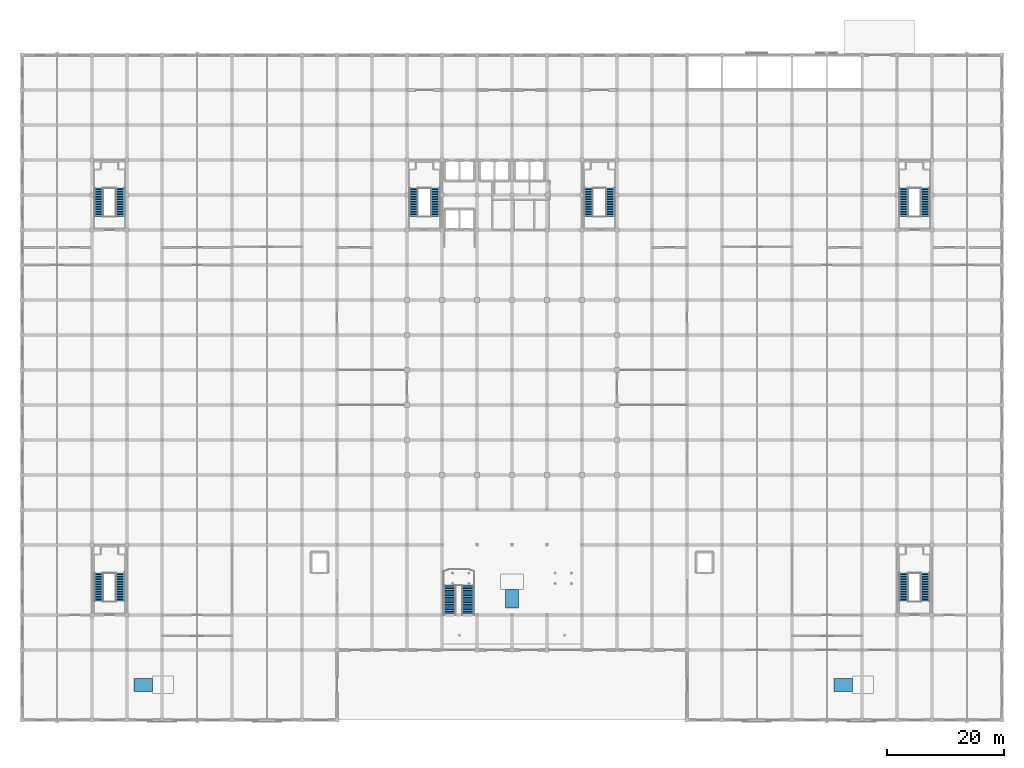
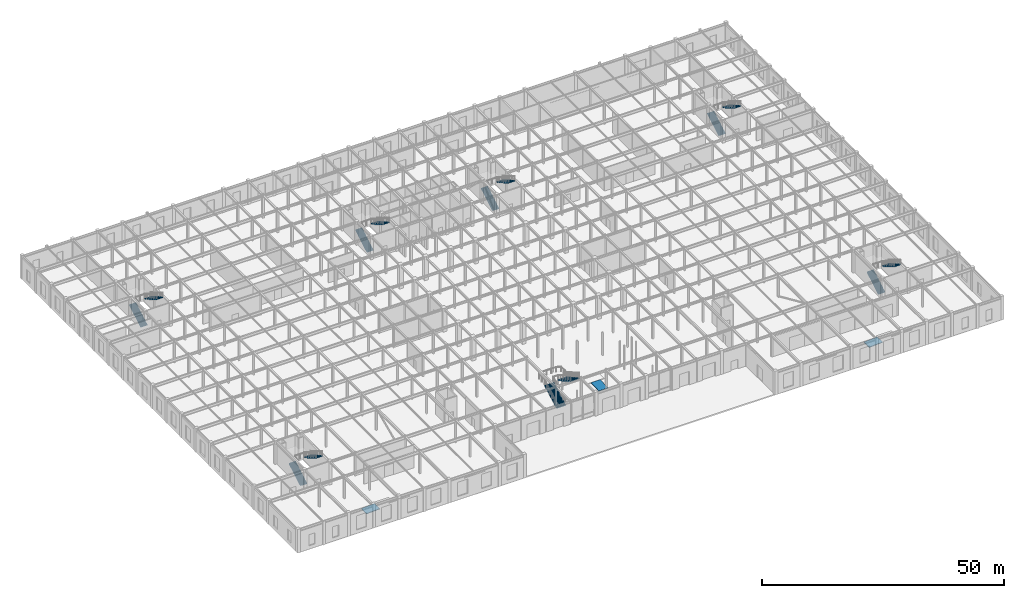
# One storey, part 49 of 51: 14 stair flights, 3 ramp flights, 10 elements without a shape of their own.
"""IFC4 building model written with IfcOpenShell, lengths in metres."""

from ifc_helpers import new_model, si_unit, direction, frame, origin, place, context, subcontext, project, spatial, polyline, outline, extrude, material, layer, layer_set, type_object, element, aggregate, save


model = new_model("IFC4")

# Units and contexts
model_context = context("Model", 3, precision=1e-05, world=origin(), true_north=direction((0.0, 1.0)))
body_context = subcontext(model_context, "Body", "Model", "MODEL_VIEW")
ifc_project = project(units=[si_unit("LENGTHUNIT", "METRE"), si_unit("AREAUNIT", "SQUARE_METRE"), si_unit("VOLUMEUNIT", "CUBIC_METRE"), si_unit("PLANEANGLEUNIT", "RADIAN"), si_unit("MASSUNIT", "GRAM", prefix="KILO")], contexts=[model_context])

# Site, building, storey
site_placement = place(None, origin())
site = spatial("IfcSite", under=ifc_project, at=site_placement, CompositionType="ELEMENT")
building_placement = place(site_placement, origin())
building = spatial("IfcBuilding", under=site, at=building_placement, Name="Zlatovratsky Civic Hall", CompositionType="ELEMENT")
storey_placement = place(building_placement, origin())
storey = spatial("IfcBuildingStorey", under=building, at=storey_placement, Name="L01", CompositionType="ELEMENT", Elevation=0.0)

# Stair, stair flights
ifc_material = material(Name="Concrete C30/37 (B35)", Category="concrete")
stair_type_1 = type_object("IfcStairType", Name="Stair_HALF_36R_1550W_02", PredefinedType="HALF_TURN_STAIR", material=ifc_material)
stair_1_placement = place(storey_placement, origin())
stair_1 = element("IfcStair", 1, at=stair_1_placement, inside=storey, type_object=stair_type_1, Name="ST-002", PredefinedType="HALF_TURN_STAIR")
stair_flight_type_1 = type_object("IfcStairFlightType", Name="StairFlight_18R_1550W_02", PredefinedType="STRAIGHT", material=ifc_material)
stair_flight_1_placement = place(storey_placement, frame((67.125, 86.35009765625, 0.0), z_axis=(0.0, 0.0, 1.0), x_axis=(0.0, 1.0, 0.0)))
stair_flight_1 = element("IfcStairFlight", 2, at=stair_flight_1_placement, type_object=stair_flight_type_1, Name="ST-002-F1", NumberOfRisers=18, NumberOfTreads=17, PredefinedType="STRAIGHT", RiserHeight=0.166666667, TreadLength=0.285, context=body_context, shape_type="SweptSolid", body=[
    extrude(outline(polyline([(0.0, 0.0), (0.0, 0.166748046875), (0.284912109375, 0.166748046875), (0.284912109375, 0.333251953125), (0.570068359375, 0.333251953125), (0.570068359375, 0.5), (0.85498046875, 0.5), (0.85498046875, 0.666748046875), (1.139892578125, 0.666748046875), (1.139892578125, 0.833251953125), (1.425048828125, 0.833251953125), (1.425048828125, 1.0), (1.7099609375, 1.0), (1.7099609375, 1.166748046875), (1.9951171875, 1.166748046875), (1.9951171875, 1.333251953125), (2.280029296875, 1.333251953125), (2.280029296875, 1.5), (2.56494140625, 1.5), (2.56494140625, 1.666748046875), (2.85009765625, 1.666748046875), (2.85009765625, 1.833251953125), (3.135009765625, 1.833251953125), (3.135009765625, 2.0), (3.419921875, 2.0), (3.419921875, 2.166748046875), (3.705078125, 2.166748046875), (3.705078125, 2.333251953125), (3.989990234375, 2.333251953125), (3.989990234375, 2.5), (4.27490234375, 2.5), (4.27490234375, 2.666748046875), (4.56005859375, 2.666748046875), (4.56005859375, 2.833251953125), (4.844970703125, 2.833251953125), (4.844970703125, 3.0), (4.844970703125, 2.625), (0.3564453125, 0.0), (0.0, 0.0)])), frame((0.0, 0.77490234375, 0.0), z_axis=(0.0, -1.0, 0.0), x_axis=(1.0, 0.0, 0.0)), (0.0, 0.0, 1.0), 1.550048828125),
])
stair_flight_2_placement = place(storey_placement, frame((70.875, 91.195068359375, 3.0), z_axis=(0.0, 0.0, 1.0), x_axis=(0.0, -1.0, 0.0)))
stair_flight_2 = element("IfcStairFlight", 3, at=stair_flight_2_placement, type_object=stair_flight_type_1, Name="ST-002-F2", NumberOfRisers=18, NumberOfTreads=17, PredefinedType="STRAIGHT", RiserHeight=0.166666667, TreadLength=0.285, context=body_context, shape_type="SweptSolid", body=[
    extrude(outline(polyline([(0.0, 0.0), (0.0, 0.166748046875), (0.284912109375, 0.166748046875), (0.284912109375, 0.333251953125), (0.570068359375, 0.333251953125), (0.570068359375, 0.5), (0.85498046875, 0.5), (0.85498046875, 0.666748046875), (1.139892578125, 0.666748046875), (1.139892578125, 0.833251953125), (1.425048828125, 0.833251953125), (1.425048828125, 1.0), (1.7099609375, 1.0), (1.7099609375, 1.166748046875), (1.9951171875, 1.166748046875), (1.9951171875, 1.333251953125), (2.280029296875, 1.333251953125), (2.280029296875, 1.5), (2.56494140625, 1.5), (2.56494140625, 1.666748046875), (2.85009765625, 1.666748046875), (2.85009765625, 1.833251953125), (3.135009765625, 1.833251953125), (3.135009765625, 2.0), (3.419921875, 2.0), (3.419921875, 2.166748046875), (3.705078125, 2.166748046875), (3.705078125, 2.333251953125), (3.989990234375, 2.333251953125), (3.989990234375, 2.5), (4.27490234375, 2.5), (4.27490234375, 2.666748046875), (4.56005859375, 2.666748046875), (4.56005859375, 2.833251953125), (4.844970703125, 2.833251953125), (4.844970703125, 3.0), (4.844970703125, 2.625), (0.3564453125, 0.0), (0.0, 0.0)])), frame((0.0, 0.77490234375, 0.0), z_axis=(0.0, -1.0, 0.0), x_axis=(1.0, 0.0, 0.0)), (0.0, 0.0, 1.0), 1.550048828125),
])
aggregate(stair_1, [stair_flight_1, stair_flight_2])

stair_2_placement = place(storey_placement, origin())
stair_2 = element("IfcStair", 4, at=stair_2_placement, inside=storey, type_object=stair_type_1, Name="ST-021", PredefinedType="HALF_TURN_STAIR")
stair_flight_3_placement = place(storey_placement, frame((97.125, 86.35009765625, 0.0), z_axis=(0.0, 0.0, 1.0), x_axis=(0.0, 1.0, 0.0)))
stair_flight_3 = element("IfcStairFlight", 5, at=stair_flight_3_placement, type_object=stair_flight_type_1, Name="ST-021-F1", NumberOfRisers=18, NumberOfTreads=17, PredefinedType="STRAIGHT", RiserHeight=0.166666667, TreadLength=0.285, context=body_context, shape_type="SweptSolid", body=[
    extrude(outline(polyline([(0.0, 0.0), (0.0, 0.166748046875), (0.284912109375, 0.166748046875), (0.284912109375, 0.333251953125), (0.570068359375, 0.333251953125), (0.570068359375, 0.5), (0.85498046875, 0.5), (0.85498046875, 0.666748046875), (1.139892578125, 0.666748046875), (1.139892578125, 0.833251953125), (1.425048828125, 0.833251953125), (1.425048828125, 1.0), (1.7099609375, 1.0), (1.7099609375, 1.166748046875), (1.9951171875, 1.166748046875), (1.9951171875, 1.333251953125), (2.280029296875, 1.333251953125), (2.280029296875, 1.5), (2.56494140625, 1.5), (2.56494140625, 1.666748046875), (2.85009765625, 1.666748046875), (2.85009765625, 1.833251953125), (3.135009765625, 1.833251953125), (3.135009765625, 2.0), (3.419921875, 2.0), (3.419921875, 2.166748046875), (3.705078125, 2.166748046875), (3.705078125, 2.333251953125), (3.989990234375, 2.333251953125), (3.989990234375, 2.5), (4.27490234375, 2.5), (4.27490234375, 2.666748046875), (4.56005859375, 2.666748046875), (4.56005859375, 2.833251953125), (4.844970703125, 2.833251953125), (4.844970703125, 3.0), (4.844970703125, 2.625), (0.3564453125, 0.0), (0.0, 0.0)])), frame((0.0, 0.77490234375, 0.0), z_axis=(0.0, -1.0, 0.0), x_axis=(1.0, 0.0, 0.0)), (0.0, 0.0, 1.0), 1.550048828125),
])
stair_flight_4_placement = place(storey_placement, frame((100.875, 91.195068359375, 3.0), z_axis=(0.0, 0.0, 1.0), x_axis=(0.0, -1.0, 0.0)))
stair_flight_4 = element("IfcStairFlight", 6, at=stair_flight_4_placement, type_object=stair_flight_type_1, Name="ST-021-F2", NumberOfRisers=18, NumberOfTreads=17, PredefinedType="STRAIGHT", RiserHeight=0.166666667, TreadLength=0.285, context=body_context, shape_type="SweptSolid", body=[
    extrude(outline(polyline([(0.0, 0.0), (0.0, 0.166748046875), (0.284912109375, 0.166748046875), (0.284912109375, 0.333251953125), (0.570068359375, 0.333251953125), (0.570068359375, 0.5), (0.85498046875, 0.5), (0.85498046875, 0.666748046875), (1.139892578125, 0.666748046875), (1.139892578125, 0.833251953125), (1.425048828125, 0.833251953125), (1.425048828125, 1.0), (1.7099609375, 1.0), (1.7099609375, 1.166748046875), (1.9951171875, 1.166748046875), (1.9951171875, 1.333251953125), (2.280029296875, 1.333251953125), (2.280029296875, 1.5), (2.56494140625, 1.5), (2.56494140625, 1.666748046875), (2.85009765625, 1.666748046875), (2.85009765625, 1.833251953125), (3.135009765625, 1.833251953125), (3.135009765625, 2.0), (3.419921875, 2.0), (3.419921875, 2.166748046875), (3.705078125, 2.166748046875), (3.705078125, 2.333251953125), (3.989990234375, 2.333251953125), (3.989990234375, 2.5), (4.27490234375, 2.5), (4.27490234375, 2.666748046875), (4.56005859375, 2.666748046875), (4.56005859375, 2.833251953125), (4.844970703125, 2.833251953125), (4.844970703125, 3.0), (4.844970703125, 2.625), (0.3564453125, 0.0), (0.0, 0.0)])), frame((0.0, 0.77490234375, 0.0), z_axis=(0.0, -1.0, 0.0), x_axis=(1.0, 0.0, 0.0)), (0.0, 0.0, 1.0), 1.550048828125),
])
aggregate(stair_2, [stair_flight_3, stair_flight_4])

stair_type_2 = type_object("IfcStairType", Name="Stair_HALF_36R_1600W_07", PredefinedType="HALF_TURN_STAIR", material=ifc_material)
stair_3_placement = place(storey_placement, origin())
stair_3 = element("IfcStair", 7, at=stair_3_placement, inside=storey, type_object=stair_type_2, Name="ST-039", PredefinedType="HALF_TURN_STAIR")
stair_flight_type_2 = type_object("IfcStairFlightType", Name="StairFlight_18R_1600W_07", PredefinedType="STRAIGHT", material=ifc_material)
stair_flight_5_placement = place(storey_placement, frame((13.14990234375, 20.35009765625, 0.0), z_axis=(0.0, 0.0, 1.0), x_axis=(0.0, 1.0, 0.0)))
stair_flight_5 = element("IfcStairFlight", 8, at=stair_flight_5_placement, type_object=stair_flight_type_2, Name="ST-039-F1", NumberOfRisers=18, NumberOfTreads=17, PredefinedType="STRAIGHT", RiserHeight=0.166666667, TreadLength=0.285, context=body_context, shape_type="SweptSolid", body=[
    extrude(outline(polyline([(0.0, 0.0), (0.0, 0.166748046875), (0.284912109375, 0.166748046875), (0.284912109375, 0.333251953125), (0.570068359375, 0.333251953125), (0.570068359375, 0.5), (0.85498046875, 0.5), (0.85498046875, 0.666748046875), (1.139892578125, 0.666748046875), (1.139892578125, 0.833251953125), (1.425048828125, 0.833251953125), (1.425048828125, 1.0), (1.7099609375, 1.0), (1.7099609375, 1.166748046875), (1.9951171875, 1.166748046875), (1.9951171875, 1.333251953125), (2.280029296875, 1.333251953125), (2.280029296875, 1.5), (2.56494140625, 1.5), (2.56494140625, 1.666748046875), (2.85009765625, 1.666748046875), (2.85009765625, 1.833251953125), (3.135009765625, 1.833251953125), (3.135009765625, 2.0), (3.419921875, 2.0), (3.419921875, 2.166748046875), (3.705078125, 2.166748046875), (3.705078125, 2.333251953125), (3.989990234375, 2.333251953125), (3.989990234375, 2.5), (4.27490234375, 2.5), (4.27490234375, 2.666748046875), (4.56005859375, 2.666748046875), (4.56005859375, 2.833251953125), (4.844970703125, 2.833251953125), (4.844970703125, 3.0), (4.844970703125, 2.625), (0.3564453125, 0.0), (0.0, 0.0)])), frame((0.0, 0.800048828125, 0.0), z_axis=(0.0, -1.0, 0.0), x_axis=(1.0, 0.0, 0.0)), (0.0, 0.0, 1.0), 1.60009765625),
])
stair_flight_6_placement = place(storey_placement, frame((16.85009765625, 25.195068359375, 3.0), z_axis=(0.0, 0.0, 1.0), x_axis=(0.0, -1.0, 0.0)))
stair_flight_6 = element("IfcStairFlight", 9, at=stair_flight_6_placement, type_object=stair_flight_type_2, Name="ST-039-F2", NumberOfRisers=18, NumberOfTreads=17, PredefinedType="STRAIGHT", RiserHeight=0.166666667, TreadLength=0.285, context=body_context, shape_type="SweptSolid", body=[
    extrude(outline(polyline([(0.0, 0.0), (0.0, 0.166748046875), (0.284912109375, 0.166748046875), (0.284912109375, 0.333251953125), (0.570068359375, 0.333251953125), (0.570068359375, 0.5), (0.85498046875, 0.5), (0.85498046875, 0.666748046875), (1.139892578125, 0.666748046875), (1.139892578125, 0.833251953125), (1.425048828125, 0.833251953125), (1.425048828125, 1.0), (1.7099609375, 1.0), (1.7099609375, 1.166748046875), (1.9951171875, 1.166748046875), (1.9951171875, 1.333251953125), (2.280029296875, 1.333251953125), (2.280029296875, 1.5), (2.56494140625, 1.5), (2.56494140625, 1.666748046875), (2.85009765625, 1.666748046875), (2.85009765625, 1.833251953125), (3.135009765625, 1.833251953125), (3.135009765625, 2.0), (3.419921875, 2.0), (3.419921875, 2.166748046875), (3.705078125, 2.166748046875), (3.705078125, 2.333251953125), (3.989990234375, 2.333251953125), (3.989990234375, 2.5), (4.27490234375, 2.5), (4.27490234375, 2.666748046875), (4.56005859375, 2.666748046875), (4.56005859375, 2.833251953125), (4.844970703125, 2.833251953125), (4.844970703125, 3.0), (4.844970703125, 2.625), (0.3564453125, 0.0), (0.0, 0.0)])), frame((0.0, 0.800048828125, 0.0), z_axis=(0.0, -1.0, 0.0), x_axis=(1.0, 0.0, 0.0)), (0.0, 0.0, 1.0), 1.60009765625),
])
aggregate(stair_3, [stair_flight_5, stair_flight_6])

stair_4_placement = place(storey_placement, origin())
stair_4 = element("IfcStair", 10, at=stair_4_placement, inside=storey, type_object=stair_type_2, Name="ST-043", PredefinedType="HALF_TURN_STAIR")
stair_flight_7_placement = place(storey_placement, frame((151.14990234375, 20.35009765625, 0.0), z_axis=(0.0, 0.0, 1.0), x_axis=(0.0, 1.0, 0.0)))
stair_flight_7 = element("IfcStairFlight", 11, at=stair_flight_7_placement, type_object=stair_flight_type_2, Name="ST-043-F1", NumberOfRisers=18, NumberOfTreads=17, PredefinedType="STRAIGHT", RiserHeight=0.166666667, TreadLength=0.285, context=body_context, shape_type="SweptSolid", body=[
    extrude(outline(polyline([(0.0, 0.0), (0.0, 0.166748046875), (0.284912109375, 0.166748046875), (0.284912109375, 0.333251953125), (0.570068359375, 0.333251953125), (0.570068359375, 0.5), (0.85498046875, 0.5), (0.85498046875, 0.666748046875), (1.139892578125, 0.666748046875), (1.139892578125, 0.833251953125), (1.425048828125, 0.833251953125), (1.425048828125, 1.0), (1.7099609375, 1.0), (1.7099609375, 1.166748046875), (1.9951171875, 1.166748046875), (1.9951171875, 1.333251953125), (2.280029296875, 1.333251953125), (2.280029296875, 1.5), (2.56494140625, 1.5), (2.56494140625, 1.666748046875), (2.85009765625, 1.666748046875), (2.85009765625, 1.833251953125), (3.135009765625, 1.833251953125), (3.135009765625, 2.0), (3.419921875, 2.0), (3.419921875, 2.166748046875), (3.705078125, 2.166748046875), (3.705078125, 2.333251953125), (3.989990234375, 2.333251953125), (3.989990234375, 2.5), (4.27490234375, 2.5), (4.27490234375, 2.666748046875), (4.56005859375, 2.666748046875), (4.56005859375, 2.833251953125), (4.844970703125, 2.833251953125), (4.844970703125, 3.0), (4.844970703125, 2.625), (0.3564453125, 0.0), (0.0, 0.0)])), frame((0.0, 0.800048828125, 0.0), z_axis=(0.0, -1.0, 0.0), x_axis=(1.0, 0.0, 0.0)), (0.0, 0.0, 1.0), 1.60009765625),
])
stair_flight_8_placement = place(storey_placement, frame((154.85009765625, 25.195068359375, 3.0), z_axis=(0.0, 0.0, 1.0), x_axis=(0.0, -1.0, 0.0)))
stair_flight_8 = element("IfcStairFlight", 12, at=stair_flight_8_placement, type_object=stair_flight_type_2, Name="ST-043-F2", NumberOfRisers=18, NumberOfTreads=17, PredefinedType="STRAIGHT", RiserHeight=0.166666667, TreadLength=0.285, context=body_context, shape_type="SweptSolid", body=[
    extrude(outline(polyline([(0.0, 0.0), (0.0, 0.166748046875), (0.284912109375, 0.166748046875), (0.284912109375, 0.333251953125), (0.570068359375, 0.333251953125), (0.570068359375, 0.5), (0.85498046875, 0.5), (0.85498046875, 0.666748046875), (1.139892578125, 0.666748046875), (1.139892578125, 0.833251953125), (1.425048828125, 0.833251953125), (1.425048828125, 1.0), (1.7099609375, 1.0), (1.7099609375, 1.166748046875), (1.9951171875, 1.166748046875), (1.9951171875, 1.333251953125), (2.280029296875, 1.333251953125), (2.280029296875, 1.5), (2.56494140625, 1.5), (2.56494140625, 1.666748046875), (2.85009765625, 1.666748046875), (2.85009765625, 1.833251953125), (3.135009765625, 1.833251953125), (3.135009765625, 2.0), (3.419921875, 2.0), (3.419921875, 2.166748046875), (3.705078125, 2.166748046875), (3.705078125, 2.333251953125), (3.989990234375, 2.333251953125), (3.989990234375, 2.5), (4.27490234375, 2.5), (4.27490234375, 2.666748046875), (4.56005859375, 2.666748046875), (4.56005859375, 2.833251953125), (4.844970703125, 2.833251953125), (4.844970703125, 3.0), (4.844970703125, 2.625), (0.3564453125, 0.0), (0.0, 0.0)])), frame((0.0, 0.800048828125, 0.0), z_axis=(0.0, -1.0, 0.0), x_axis=(1.0, 0.0, 0.0)), (0.0, 0.0, 1.0), 1.60009765625),
])
aggregate(stair_4, [stair_flight_7, stair_flight_8])

stair_5_placement = place(storey_placement, origin())
stair_5 = element("IfcStair", 13, at=stair_5_placement, inside=storey, type_object=stair_type_2, Name="ST-047", PredefinedType="HALF_TURN_STAIR")
stair_flight_9_placement = place(storey_placement, frame((13.14990234375, 86.35009765625, 0.0), z_axis=(0.0, 0.0, 1.0), x_axis=(0.0, 1.0, 0.0)))
stair_flight_9 = element("IfcStairFlight", 14, at=stair_flight_9_placement, type_object=stair_flight_type_2, Name="ST-047-F1", NumberOfRisers=18, NumberOfTreads=17, PredefinedType="STRAIGHT", RiserHeight=0.166666667, TreadLength=0.285, context=body_context, shape_type="SweptSolid", body=[
    extrude(outline(polyline([(0.0, 0.0), (0.0, 0.166748046875), (0.284912109375, 0.166748046875), (0.284912109375, 0.333251953125), (0.570068359375, 0.333251953125), (0.570068359375, 0.5), (0.85498046875, 0.5), (0.85498046875, 0.666748046875), (1.139892578125, 0.666748046875), (1.139892578125, 0.833251953125), (1.425048828125, 0.833251953125), (1.425048828125, 1.0), (1.7099609375, 1.0), (1.7099609375, 1.166748046875), (1.9951171875, 1.166748046875), (1.9951171875, 1.333251953125), (2.280029296875, 1.333251953125), (2.280029296875, 1.5), (2.56494140625, 1.5), (2.56494140625, 1.666748046875), (2.85009765625, 1.666748046875), (2.85009765625, 1.833251953125), (3.135009765625, 1.833251953125), (3.135009765625, 2.0), (3.419921875, 2.0), (3.419921875, 2.166748046875), (3.705078125, 2.166748046875), (3.705078125, 2.333251953125), (3.989990234375, 2.333251953125), (3.989990234375, 2.5), (4.27490234375, 2.5), (4.27490234375, 2.666748046875), (4.56005859375, 2.666748046875), (4.56005859375, 2.833251953125), (4.844970703125, 2.833251953125), (4.844970703125, 3.0), (4.844970703125, 2.625), (0.3564453125, 0.0), (0.0, 0.0)])), frame((0.0, 0.800048828125, 0.0), z_axis=(0.0, -1.0, 0.0), x_axis=(1.0, 0.0, 0.0)), (0.0, 0.0, 1.0), 1.60009765625),
])
stair_flight_10_placement = place(storey_placement, frame((16.85009765625, 91.195068359375, 3.0), z_axis=(0.0, 0.0, 1.0), x_axis=(0.0, -1.0, 0.0)))
stair_flight_10 = element("IfcStairFlight", 15, at=stair_flight_10_placement, type_object=stair_flight_type_2, Name="ST-047-F2", NumberOfRisers=18, NumberOfTreads=17, PredefinedType="STRAIGHT", RiserHeight=0.166666667, TreadLength=0.285, context=body_context, shape_type="SweptSolid", body=[
    extrude(outline(polyline([(0.0, 0.0), (0.0, 0.166748046875), (0.284912109375, 0.166748046875), (0.284912109375, 0.333251953125), (0.570068359375, 0.333251953125), (0.570068359375, 0.5), (0.85498046875, 0.5), (0.85498046875, 0.666748046875), (1.139892578125, 0.666748046875), (1.139892578125, 0.833251953125), (1.425048828125, 0.833251953125), (1.425048828125, 1.0), (1.7099609375, 1.0), (1.7099609375, 1.166748046875), (1.9951171875, 1.166748046875), (1.9951171875, 1.333251953125), (2.280029296875, 1.333251953125), (2.280029296875, 1.5), (2.56494140625, 1.5), (2.56494140625, 1.666748046875), (2.85009765625, 1.666748046875), (2.85009765625, 1.833251953125), (3.135009765625, 1.833251953125), (3.135009765625, 2.0), (3.419921875, 2.0), (3.419921875, 2.166748046875), (3.705078125, 2.166748046875), (3.705078125, 2.333251953125), (3.989990234375, 2.333251953125), (3.989990234375, 2.5), (4.27490234375, 2.5), (4.27490234375, 2.666748046875), (4.56005859375, 2.666748046875), (4.56005859375, 2.833251953125), (4.844970703125, 2.833251953125), (4.844970703125, 3.0), (4.844970703125, 2.625), (0.3564453125, 0.0), (0.0, 0.0)])), frame((0.0, 0.800048828125, 0.0), z_axis=(0.0, -1.0, 0.0), x_axis=(1.0, 0.0, 0.0)), (0.0, 0.0, 1.0), 1.60009765625),
])
aggregate(stair_5, [stair_flight_9, stair_flight_10])

stair_6_placement = place(storey_placement, origin())
stair_6 = element("IfcStair", 16, at=stair_6_placement, inside=storey, type_object=stair_type_2, Name="ST-051", PredefinedType="HALF_TURN_STAIR")
stair_flight_11_placement = place(storey_placement, frame((151.14990234375, 86.35009765625, 0.0), z_axis=(0.0, 0.0, 1.0), x_axis=(0.0, 1.0, 0.0)))
stair_flight_11 = element("IfcStairFlight", 17, at=stair_flight_11_placement, type_object=stair_flight_type_2, Name="ST-051-F1", NumberOfRisers=18, NumberOfTreads=17, PredefinedType="STRAIGHT", RiserHeight=0.166666667, TreadLength=0.285, context=body_context, shape_type="SweptSolid", body=[
    extrude(outline(polyline([(0.0, 0.0), (0.0, 0.166748046875), (0.284912109375, 0.166748046875), (0.284912109375, 0.333251953125), (0.570068359375, 0.333251953125), (0.570068359375, 0.5), (0.85498046875, 0.5), (0.85498046875, 0.666748046875), (1.139892578125, 0.666748046875), (1.139892578125, 0.833251953125), (1.425048828125, 0.833251953125), (1.425048828125, 1.0), (1.7099609375, 1.0), (1.7099609375, 1.166748046875), (1.9951171875, 1.166748046875), (1.9951171875, 1.333251953125), (2.280029296875, 1.333251953125), (2.280029296875, 1.5), (2.56494140625, 1.5), (2.56494140625, 1.666748046875), (2.85009765625, 1.666748046875), (2.85009765625, 1.833251953125), (3.135009765625, 1.833251953125), (3.135009765625, 2.0), (3.419921875, 2.0), (3.419921875, 2.166748046875), (3.705078125, 2.166748046875), (3.705078125, 2.333251953125), (3.989990234375, 2.333251953125), (3.989990234375, 2.5), (4.27490234375, 2.5), (4.27490234375, 2.666748046875), (4.56005859375, 2.666748046875), (4.56005859375, 2.833251953125), (4.844970703125, 2.833251953125), (4.844970703125, 3.0), (4.844970703125, 2.625), (0.3564453125, 0.0), (0.0, 0.0)])), frame((0.0, 0.800048828125, 0.0), z_axis=(0.0, -1.0, 0.0), x_axis=(1.0, 0.0, 0.0)), (0.0, 0.0, 1.0), 1.60009765625),
])
stair_flight_12_placement = place(storey_placement, frame((154.85009765625, 91.195068359375, 3.0), z_axis=(0.0, 0.0, 1.0), x_axis=(0.0, -1.0, 0.0)))
stair_flight_12 = element("IfcStairFlight", 18, at=stair_flight_12_placement, type_object=stair_flight_type_2, Name="ST-051-F2", NumberOfRisers=18, NumberOfTreads=17, PredefinedType="STRAIGHT", RiserHeight=0.166666667, TreadLength=0.285, context=body_context, shape_type="SweptSolid", body=[
    extrude(outline(polyline([(0.0, 0.0), (0.0, 0.166748046875), (0.284912109375, 0.166748046875), (0.284912109375, 0.333251953125), (0.570068359375, 0.333251953125), (0.570068359375, 0.5), (0.85498046875, 0.5), (0.85498046875, 0.666748046875), (1.139892578125, 0.666748046875), (1.139892578125, 0.833251953125), (1.425048828125, 0.833251953125), (1.425048828125, 1.0), (1.7099609375, 1.0), (1.7099609375, 1.166748046875), (1.9951171875, 1.166748046875), (1.9951171875, 1.333251953125), (2.280029296875, 1.333251953125), (2.280029296875, 1.5), (2.56494140625, 1.5), (2.56494140625, 1.666748046875), (2.85009765625, 1.666748046875), (2.85009765625, 1.833251953125), (3.135009765625, 1.833251953125), (3.135009765625, 2.0), (3.419921875, 2.0), (3.419921875, 2.166748046875), (3.705078125, 2.166748046875), (3.705078125, 2.333251953125), (3.989990234375, 2.333251953125), (3.989990234375, 2.5), (4.27490234375, 2.5), (4.27490234375, 2.666748046875), (4.56005859375, 2.666748046875), (4.56005859375, 2.833251953125), (4.844970703125, 2.833251953125), (4.844970703125, 3.0), (4.844970703125, 2.625), (0.3564453125, 0.0), (0.0, 0.0)])), frame((0.0, 0.800048828125, 0.0), z_axis=(0.0, -1.0, 0.0), x_axis=(1.0, 0.0, 0.0)), (0.0, 0.0, 1.0), 1.60009765625),
])
aggregate(stair_6, [stair_flight_11, stair_flight_12])

stair_type_3 = type_object("IfcStairType", Name="Stair_TWO__36R_2200W_09", PredefinedType="TWO_QUARTER_TURN_STAIR", material=ifc_material)
stair_7_placement = place(storey_placement, origin())
stair_7 = element("IfcStair", 19, at=stair_7_placement, inside=storey, type_object=stair_type_3, Name="ST-054", PredefinedType="TWO_QUARTER_TURN_STAIR")
stair_flight_type_3 = type_object("IfcStairFlightType", Name="StairFlight_18R_2200W_09", PredefinedType="STRAIGHT", material=ifc_material)
stair_flight_13_placement = place(storey_placement, frame((73.300048828125, 18.0, 0.0), z_axis=(0.0, 0.0, 1.0), x_axis=(0.0, 1.0, 0.0)))
stair_flight_13 = element("IfcStairFlight", 20, at=stair_flight_13_placement, type_object=stair_flight_type_3, Name="ST-054-F1", NumberOfRisers=18, NumberOfTreads=17, PredefinedType="STRAIGHT", RiserHeight=0.166666667, TreadLength=0.3, context=body_context, shape_type="SweptSolid", body=[
    extrude(outline(polyline([(0.0, 0.0), (0.0, 0.166748046875), (0.300048828125, 0.166748046875), (0.300048828125, 0.333251953125), (0.60009765625, 0.333251953125), (0.60009765625, 0.5), (0.89990234375, 0.5), (0.89990234375, 0.666748046875), (1.199951171875, 0.666748046875), (1.199951171875, 0.833251953125), (1.5, 0.833251953125), (1.5, 1.0), (1.800048828125, 1.0), (1.800048828125, 1.166748046875), (2.10009765625, 1.166748046875), (2.10009765625, 1.333251953125), (2.39990234375, 1.333251953125), (2.39990234375, 1.5), (2.699951171875, 1.5), (2.699951171875, 1.666748046875), (3.0, 1.666748046875), (3.0, 1.833251953125), (3.300048828125, 1.833251953125), (3.300048828125, 2.0), (3.60009765625, 2.0), (3.60009765625, 2.166748046875), (3.89990234375, 2.166748046875), (3.89990234375, 2.333251953125), (4.199951171875, 2.333251953125), (4.199951171875, 2.5), (4.5, 2.5), (4.5, 2.666748046875), (4.800048828125, 2.666748046875), (4.800048828125, 2.833251953125), (5.10009765625, 2.833251953125), (5.10009765625, 3.0), (5.10009765625, 2.6044921875), (0.41162109375, 0.0), (0.0, 0.0)])), frame((0.0, 1.10009765625, 0.0), z_axis=(0.0, -1.0, 0.0), x_axis=(1.0, 0.0, 0.0)), (0.0, 0.0, 1.0), 2.199951171875),
])
stair_flight_14_placement = place(storey_placement, frame((76.5, 23.10009765625, 3.0), z_axis=(0.0, 0.0, 1.0), x_axis=(0.0, -1.0, 0.0)))
stair_flight_14 = element("IfcStairFlight", 21, at=stair_flight_14_placement, type_object=stair_flight_type_3, Name="ST-054-F2", NumberOfRisers=18, NumberOfTreads=17, PredefinedType="STRAIGHT", RiserHeight=0.166666667, TreadLength=0.3, context=body_context, shape_type="SweptSolid", body=[
    extrude(outline(polyline([(0.0, 0.0), (0.0, 0.166748046875), (0.300048828125, 0.166748046875), (0.300048828125, 0.333251953125), (0.60009765625, 0.333251953125), (0.60009765625, 0.5), (0.89990234375, 0.5), (0.89990234375, 0.666748046875), (1.199951171875, 0.666748046875), (1.199951171875, 0.833251953125), (1.5, 0.833251953125), (1.5, 1.0), (1.800048828125, 1.0), (1.800048828125, 1.166748046875), (2.10009765625, 1.166748046875), (2.10009765625, 1.333251953125), (2.39990234375, 1.333251953125), (2.39990234375, 1.5), (2.699951171875, 1.5), (2.699951171875, 1.666748046875), (3.0, 1.666748046875), (3.0, 1.833251953125), (3.300048828125, 1.833251953125), (3.300048828125, 2.0), (3.60009765625, 2.0), (3.60009765625, 2.166748046875), (3.89990234375, 2.166748046875), (3.89990234375, 2.333251953125), (4.199951171875, 2.333251953125), (4.199951171875, 2.5), (4.5, 2.5), (4.5, 2.666748046875), (4.800048828125, 2.666748046875), (4.800048828125, 2.833251953125), (5.10009765625, 2.833251953125), (5.10009765625, 3.0), (5.10009765625, 2.6044921875), (0.41162109375, 0.0), (0.0, 0.0)])), frame((0.0, 1.10009765625, 0.0), z_axis=(0.0, -1.0, 0.0), x_axis=(1.0, 0.0, 0.0)), (0.0, 0.0, 1.0), 2.199951171875),
])
aggregate(stair_7, [stair_flight_13, stair_flight_14])

# Ramp, ramp flight
ramp_type = type_object("IfcRampType", Name="Ramp_AccessibleGranite", PredefinedType="STRAIGHT_RUN_RAMP", material=ifc_material)
ramp_1_placement = place(storey_placement, origin())
ramp_1 = element("IfcRamp", 22, at=ramp_1_placement, inside=storey, type_object=ramp_type, Name="RMP-01", PredefinedType="STRAIGHT_RUN_RAMP")
ifc_layer = layer(ifc_material, 0.219970703125)
ifc_layer_set = layer_set([ifc_layer], Name="Concrete C30/37 (B35)")
ramp_flight_type = type_object("IfcRampFlightType", Name="RampFlight_AccessibleGranite", PredefinedType="STRAIGHT", material=ifc_layer_set)
ramp_flight_1_placement = place(storey_placement, frame((84.0, 19.199951171875, 0.0), z_axis=(0.0, 0.0, 1.0), x_axis=(0.0, 1.0, 0.0)))
ramp_flight_1 = element("IfcRampFlight", 23, at=ramp_flight_1_placement, type_object=ramp_flight_type, Name="RMP-01-F1", PredefinedType="STRAIGHT", context=body_context, shape_type="SweptSolid", body=[
    extrude(outline(polyline([(0.0, 0.0), (3.199951171875, 0.159912109375), (3.199951171875, 0.0), (0.0, -0.159912109375), (0.0, 0.0)])), frame((0.0, 1.10009765625, 0.0), z_axis=(0.0, -1.0, 0.0), x_axis=(1.0, 0.0, 0.0)), (0.0, 0.0, 1.0), 2.199951171875),
])
aggregate(ramp_1, [ramp_flight_1])

ramp_2_placement = place(storey_placement, origin())
ramp_2 = element("IfcRamp", 24, at=ramp_2_placement, inside=storey, type_object=ramp_type, Name="RMP-02", PredefinedType="STRAIGHT_RUN_RAMP")
ramp_flight_2_placement = place(storey_placement, frame((19.199951171875, 6.0, 0.0), z_axis=(0.0, 0.0, 1.0), x_axis=(1.0, 0.0, 0.0)))
ramp_flight_2 = element("IfcRampFlight", 25, at=ramp_flight_2_placement, type_object=ramp_flight_type, Name="RMP-02-F1", PredefinedType="STRAIGHT", context=body_context, shape_type="SweptSolid", body=[
    extrude(outline(polyline([(0.0, 0.0), (3.199951171875, 0.159912109375), (3.199951171875, 0.0), (0.0, -0.159912109375), (0.0, 0.0)])), frame((0.0, 1.10009765625, 0.0), z_axis=(0.0, -1.0, 0.0), x_axis=(1.0, 0.0, 0.0)), (0.0, 0.0, 1.0), 2.199951171875),
])
aggregate(ramp_2, [ramp_flight_2])

ramp_3_placement = place(storey_placement, origin())
ramp_3 = element("IfcRamp", 26, at=ramp_3_placement, inside=storey, type_object=ramp_type, Name="RMP-03", PredefinedType="STRAIGHT_RUN_RAMP")
ramp_flight_3_placement = place(storey_placement, frame((139.199951171875, 6.0, 0.0), z_axis=(0.0, 0.0, 1.0), x_axis=(1.0, 0.0, 0.0)))
ramp_flight_3 = element("IfcRampFlight", 27, at=ramp_flight_3_placement, type_object=ramp_flight_type, Name="RMP-03-F1", PredefinedType="STRAIGHT", context=body_context, shape_type="SweptSolid", body=[
    extrude(outline(polyline([(0.0, 0.0), (3.199951171875, 0.159912109375), (3.199951171875, 0.0), (0.0, -0.159912109375), (0.0, 0.0)])), frame((0.0, 1.10009765625, 0.0), z_axis=(0.0, -1.0, 0.0), x_axis=(1.0, 0.0, 0.0)), (0.0, 0.0, 1.0), 2.199951171875),
])
aggregate(ramp_3, [ramp_flight_3])

save(model, "model.ifc")
